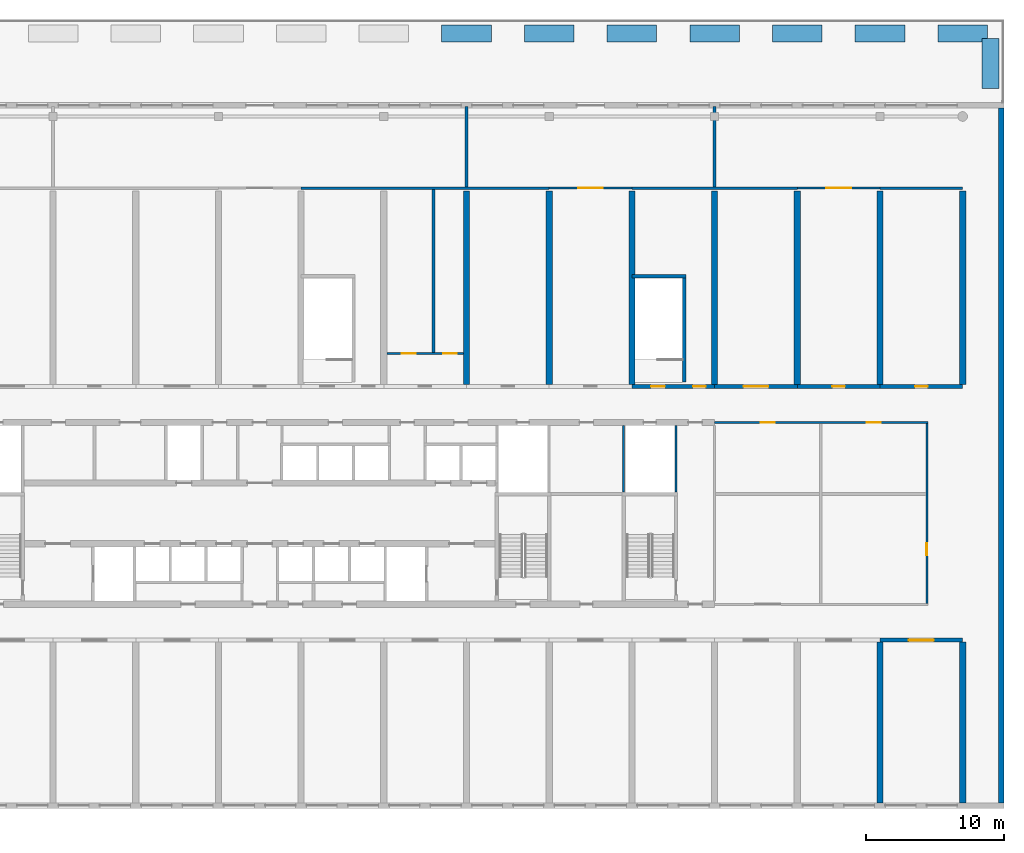
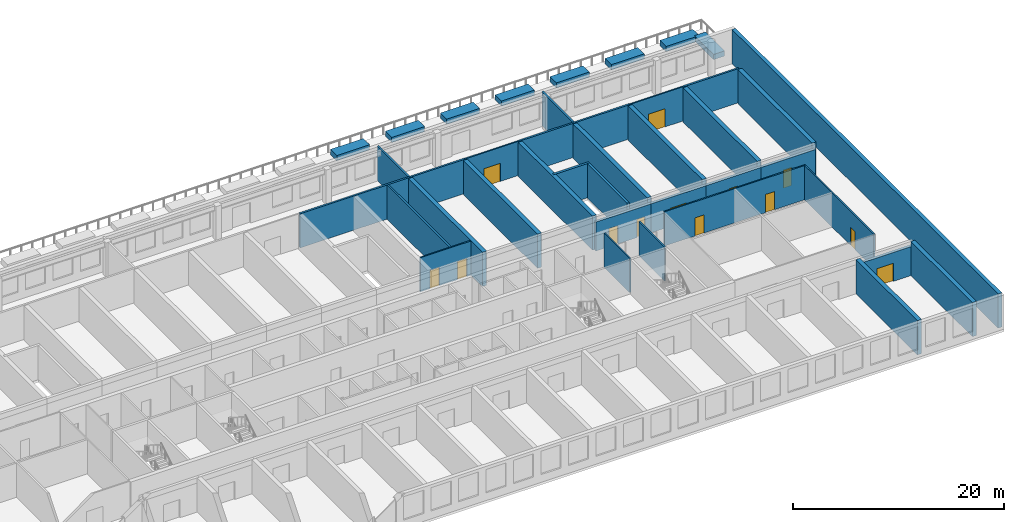
# One storey, part 11 of 15: 38 walls, 13 doors, 13 openings.
"""IFC4 building model written with IfcOpenShell, lengths in metres."""

from ifc_helpers import new_model, si_unit, direction, frame, frame_2d, origin, place, context, subcontext, project, spatial, polyline, rectangle, outline, extrude, source, transform, mapped, material, layer, layer_set, type_object, element, fill, save


model = new_model("IFC4")

# Units and contexts
model_context = context("Model", 3, precision=1e-05, world=origin(), true_north=direction((0.0, 1.0)))
body_context = subcontext(model_context, "Body", "Model", "MODEL_VIEW")
ifc_project = project(units=[si_unit("LENGTHUNIT", "METRE"), si_unit("AREAUNIT", "SQUARE_METRE"), si_unit("VOLUMEUNIT", "CUBIC_METRE"), si_unit("PLANEANGLEUNIT", "RADIAN"), si_unit("MASSUNIT", "GRAM", prefix="KILO")], contexts=[model_context])

# Site, building, storey
site_placement = place(None, origin())
site = spatial("IfcSite", under=ifc_project, at=site_placement, CompositionType="ELEMENT")
building_placement = place(site_placement, origin())
building = spatial("IfcBuilding", under=site, at=building_placement, Name="Poui Terraces", CompositionType="ELEMENT")
storey_placement = place(building_placement, frame((0.0, 0.0, 19.199951171875)))
storey = spatial("IfcBuildingStorey", under=building, at=storey_placement, Name="L04", CompositionType="ELEMENT", Elevation=19.199951171875)

# Walls
ifc_material_1 = material(Name="Fire-rated masonry wall", Category="masonry")
ifc_layer_1 = layer(ifc_material_1, 0.199951171875)
ifc_layer_set_1 = layer_set([ifc_layer_1], Name="Fire-rated masonry wall")
wall_type_1 = type_object("IfcWallType", Name="COMPARTMENT WALL 200", PredefinedType="PARTITIONING", material=ifc_layer_set_1)
wall_1_placement = place(storey_placement, frame((54.0, 44.800048828125, 0.0), z_axis=(0.0, 0.0, 1.0), x_axis=(1.0, 0.0, 0.0)))
element("IfcWall", 1, at=wall_1_placement, inside=storey, type_object=wall_type_1, Name="COMPARTMENT WALL 200", PredefinedType="PARTITIONING", context=body_context, shape_type="SweptSolid", body=[
    extrude(rectangle(XDim=18.0, YDim=0.199951171875, at=frame_2d((9.0, 0.0))), origin(), (0.0, 0.0, 1.0), 3.949951171875),
])
wall_2_placement = place(storey_placement, frame((78.0, 44.800048828125, 0.0), z_axis=(0.0, 0.0, 1.0), x_axis=(1.0, 0.0, 0.0)))
element("IfcWall", 2, at=wall_2_placement, inside=storey, type_object=wall_type_1, Name="COMPARTMENT WALL 200", PredefinedType="PARTITIONING", context=body_context, shape_type="SweptSolid", body=[
    extrude(rectangle(XDim=12.0, YDim=0.199951171875, at=frame_2d((6.0, 0.0))), origin(), (0.0, 0.0, 1.0), 3.949951171875),
])
wall_3_placement = place(storey_placement, frame((96.0, 44.800048828125, 0.0), z_axis=(0.0, 0.0, 1.0), x_axis=(1.0, 0.0, 0.0)))
element("IfcWall", 3, at=wall_3_placement, inside=storey, type_object=wall_type_1, Name="COMPARTMENT WALL 200", PredefinedType="PARTITIONING", context=body_context, shape_type="SweptSolid", body=[
    extrude(rectangle(XDim=6.0, YDim=0.199951171875, at=frame_2d((3.0, 0.0))), origin(), (0.0, 0.0, 1.0), 3.949951171875),
])
wall_4_placement = place(storey_placement, frame((63.60009765625, 32.875, 0.0), z_axis=(0.0, 0.0, 1.0), x_axis=(0.0, 1.0, 0.0)))
element("IfcWall", 4, at=wall_4_placement, inside=storey, type_object=wall_type_1, Name="COMPARTMENT WALL 200", PredefinedType="PARTITIONING", context=body_context, shape_type="SweptSolid", body=[
    extrude(rectangle(XDim=11.824951171875, YDim=0.199951171875, at=frame_2d((5.91259765625, 0.0))), origin(), (0.0, 0.0, 1.0), 3.949951171875),
])
for number, where, z_axis, x_axis, name in (
    (5, (66.0, 44.89990234375, 0.0), (0.0, 0.0, 1.0), (0.0, 1.0, 0.0), "COMPARTMENT WALL 200"),
    (6, (84.0, 44.89990234375, 0.0), (0.0, 0.0, 1.0), (0.0, 1.0, 0.0), "COMPARTMENT WALL 200"),
):
    element("IfcWall", number, at=place(storey_placement, frame(where, z_axis=z_axis, x_axis=x_axis)), inside=storey, type_object=wall_type_1, Name=name, PredefinedType="PARTITIONING", context=body_context, shape_type="SweptSolid", body=[
        extrude(rectangle(XDim=5.840087890625, YDim=0.199951171875, at=frame_2d((2.919921875, 0.0))), origin(), (0.0, 0.0, 1.0), 3.949951171875),
    ])

# Wall, openings, doors
ifc_material_2 = material(Name="Fire-rated plasterboard wall")
ifc_layer_2 = layer(ifc_material_2, 0.14990234375)
ifc_layer_set_2 = layer_set([ifc_layer_2], Name="Fire-rated plasterboard wall")
wall_type_2 = type_object("IfcWallType", Name="CORRIDOR WALL 150", PredefinedType="PARTITIONING", material=ifc_layer_set_2)
wall_5_placement = place(storey_placement, frame((84.010009765625, 27.800048828125, 0.0), z_axis=(0.0, 0.0, 1.0), x_axis=(1.0, 0.0, 0.0)))
wall_5 = element("IfcWall", 7, at=wall_5_placement, inside=storey, type_object=wall_type_2, Name="CORRIDOR WALL 150", PredefinedType="PARTITIONING", context=body_context, shape_type="SweptSolid", body=[
    extrude(rectangle(XDim=15.465087890625, YDim=0.14990234375, at=frame_2d((7.732421875, 0.0))), origin(), (0.0, 0.0, 1.0), 3.949951171875),
])
opening_1_placement = place(wall_5_placement, frame((3.340087890625, 0.0, 0.0)))
opening_1 = element("IfcOpeningElement", 8, at=opening_1_placement, cuts=wall_5, Name="Opening D100", PredefinedType="OPENING", context=body_context, shape_type="SweptSolid", body=[
    extrude(rectangle(XDim=1.0, YDim=2.10009765625, at=frame_2d((0.5, 1.050048828125))), frame((0.0, 0.0849609375, 0.0), z_axis=(0.0, -1.0, 0.0), x_axis=(1.0, 0.0, 0.0)), (0.0, 0.0, 1.0), 0.169921875),
])
opening_2_placement = place(wall_5_placement, frame((11.0400390625, 0.0, 0.0)))
opening_2 = element("IfcOpeningElement", 9, at=opening_2_placement, cuts=wall_5, Name="Opening D100", PredefinedType="OPENING", context=body_context, shape_type="SweptSolid", body=[
    extrude(rectangle(XDim=1.0, YDim=2.10009765625, at=frame_2d((0.5, 1.050048828125))), frame((0.0, 0.0849609375, 0.0), z_axis=(0.0, -1.0, 0.0), x_axis=(1.0, 0.0, 0.0)), (0.0, 0.0, 1.0), 0.169921875),
])
ifc_material_3 = material(Name="Solid core timber door", Category="wood")
door_type_1 = type_object("IfcDoorType", Name="ACCESSIBLE INTERNAL DOOR 1000 X 2100", OperationType="NOTDEFINED", PredefinedType="DOOR", material=ifc_material_3)
door_1_placement = place(opening_1_placement, origin())
door_1 = element("IfcDoor", 10, at=door_1_placement, inside=storey, type_object=door_type_1, Name="ACCESSIBLE INTERNAL DOOR 037", OperationType="SINGLE_SWING_LEFT", OverallHeight=2.10009765625, OverallWidth=1.0, PredefinedType="DOOR", context=body_context, shape_type="SweptSolid", body=[
    extrude(rectangle(XDim=1.0, YDim=2.10009765625, at=frame_2d((0.5, 1.050048828125))), frame((0.0, 0.02490234375, 0.0), z_axis=(0.0, -1.0, 0.0), x_axis=(1.0, 0.0, 0.0)), (0.0, 0.0, 1.0), 0.050048828125),
])
fill(opening_1, door_1)
door_2_placement = place(opening_2_placement, origin())
door_2 = element("IfcDoor", 11, at=door_2_placement, inside=storey, type_object=door_type_1, Name="ACCESSIBLE INTERNAL DOOR 039", OperationType="SINGLE_SWING_RIGHT", OverallHeight=2.10009765625, OverallWidth=1.0, PredefinedType="DOOR", context=body_context, shape_type="SweptSolid", body=[
    extrude(rectangle(XDim=1.0, YDim=2.10009765625, at=frame_2d((0.5, 1.050048828125))), frame((0.0, 0.02490234375, 0.0), z_axis=(0.0, -1.0, 0.0), x_axis=(1.0, 0.0, 0.0)), (0.0, 0.0, 1.0), 0.050048828125),
])
fill(opening_2, door_2)

wall_6_placement = place(storey_placement, frame((60.235107421875, 32.800048828125, 0.0), z_axis=(0.0, 0.0, 1.0), x_axis=(1.0, 0.0, 0.0)))
wall_6 = element("IfcWall", 12, at=wall_6_placement, inside=storey, type_object=wall_type_2, Name="CORRIDOR WALL 150", PredefinedType="PARTITIONING", context=body_context, shape_type="SweptSolid", body=[
    extrude(rectangle(XDim=5.52978515625, YDim=0.14990234375, at=frame_2d((2.764892578125, 0.0))), origin(), (0.0, 0.0, 1.0), 3.949951171875),
])
opening_3_placement = place(wall_6_placement, frame((1.06494140625, 0.0, 0.0)))
opening_3 = element("IfcOpeningElement", 13, at=opening_3_placement, cuts=wall_6, Name="Opening D100", PredefinedType="OPENING", context=body_context, shape_type="SweptSolid", body=[
    extrude(rectangle(XDim=1.0, YDim=2.10009765625, at=frame_2d((0.5, 1.050048828125))), frame((0.0, 0.0849609375, 0.0), z_axis=(0.0, -1.0, 0.0), x_axis=(1.0, 0.0, 0.0)), (0.0, 0.0, 1.0), 0.169921875),
])
opening_4_placement = place(wall_6_placement, frame((4.06494140625, 0.0, 0.0)))
opening_4 = element("IfcOpeningElement", 14, at=opening_4_placement, cuts=wall_6, Name="Opening D100", PredefinedType="OPENING", context=body_context, shape_type="SweptSolid", body=[
    extrude(rectangle(XDim=1.0, YDim=2.10009765625, at=frame_2d((0.5, 1.050048828125))), frame((0.0, 0.0849609375, 0.0), z_axis=(0.0, -1.0, 0.0), x_axis=(1.0, 0.0, 0.0)), (0.0, 0.0, 1.0), 0.169921875),
])
door_3_placement = place(opening_3_placement, frame((1.0, 0.0, 0.0), z_axis=(0.0, 0.0, 1.0), x_axis=(-1.0, 0.0, 0.0)))
door_3 = element("IfcDoor", 15, at=door_3_placement, inside=storey, type_object=door_type_1, Name="ACCESSIBLE INTERNAL DOOR 073", OperationType="SINGLE_SWING_RIGHT", OverallHeight=2.10009765625, OverallWidth=1.0, PredefinedType="DOOR", context=body_context, shape_type="SweptSolid", body=[
    extrude(rectangle(XDim=1.0, YDim=2.10009765625, at=frame_2d((0.5, 1.050048828125))), frame((0.0, 0.02490234375, 0.0), z_axis=(0.0, -1.0, 0.0), x_axis=(1.0, 0.0, 0.0)), (0.0, 0.0, 1.0), 0.050048828125),
])
fill(opening_3, door_3)
door_4_placement = place(opening_4_placement, frame((1.0, 0.0, 0.0), z_axis=(0.0, 0.0, 1.0), x_axis=(-1.0, 0.0, 0.0)))
door_4 = element("IfcDoor", 16, at=door_4_placement, inside=storey, type_object=door_type_1, Name="ACCESSIBLE INTERNAL DOOR 074", OperationType="SINGLE_SWING_LEFT", OverallHeight=2.10009765625, OverallWidth=1.0, PredefinedType="DOOR", context=body_context, shape_type="SweptSolid", body=[
    extrude(rectangle(XDim=1.0, YDim=2.10009765625, at=frame_2d((0.5, 1.050048828125))), frame((0.0, 0.02490234375, 0.0), z_axis=(0.0, -1.0, 0.0), x_axis=(1.0, 0.0, 0.0)), (0.0, 0.0, 1.0), 0.050048828125),
])
fill(opening_4, door_4)

# Wall, opening, door
wall_7_placement = place(storey_placement, frame((72.0, 44.800048828125, 0.0), z_axis=(0.0, 0.0, 1.0), x_axis=(1.0, 0.0, 0.0)))
wall_7 = element("IfcWall", 17, at=wall_7_placement, inside=storey, type_object=wall_type_2, Name="CORRIDOR WALL 150", PredefinedType="PARTITIONING", context=body_context, shape_type="SweptSolid", body=[
    extrude(rectangle(XDim=6.0, YDim=0.14990234375, at=frame_2d((3.0, 0.0))), origin(), (0.0, 0.0, 1.0), 3.949951171875),
])
opening_5_placement = place(wall_7_placement, frame((2.10009765625, 0.0, 0.0)))
opening_5 = element("IfcOpeningElement", 18, at=opening_5_placement, cuts=wall_7, Name="Opening DD180", PredefinedType="OPENING", context=body_context, shape_type="SweptSolid", body=[
    extrude(rectangle(XDim=1.800048828125, YDim=2.10009765625, at=frame_2d((0.89990234375, 1.050048828125))), frame((0.0, 0.0849609375, 0.0), z_axis=(0.0, -1.0, 0.0), x_axis=(1.0, 0.0, 0.0)), (0.0, 0.0, 1.0), 0.169921875),
])
ifc_material_4 = material(Name="Steel fire door", Category="steel")
door_type_2 = type_object("IfcDoorType", Name="DOUBLE INTERNAL DOOR 1800 X 2100", OperationType="DOUBLE_DOOR_SINGLE_SWING", PredefinedType="DOOR", material=ifc_material_4)
door_5_placement = place(opening_5_placement, frame((1.800048828125, 0.0, 0.0), z_axis=(0.0, 0.0, 1.0), x_axis=(-1.0, 0.0, 0.0)))
door_5 = element("IfcDoor", 19, at=door_5_placement, inside=storey, type_object=door_type_2, Name="DOUBLE INTERNAL DOOR 077", OperationType="DOUBLE_DOOR_SINGLE_SWING", OverallHeight=2.10009765625, OverallWidth=1.800048828125, PredefinedType="DOOR", context=body_context, shape_type="SweptSolid", body=[
    extrude(rectangle(XDim=1.800048828125, YDim=2.10009765625, at=frame_2d((0.89990234375, 1.050048828125))), frame((0.0, 0.02490234375, 0.0), z_axis=(0.0, -1.0, 0.0), x_axis=(1.0, 0.0, 0.0)), (0.0, 0.0, 1.0), 0.050048828125),
])
fill(opening_5, door_5)

wall_8_placement = place(storey_placement, frame((90.0, 44.800048828125, 0.0), z_axis=(0.0, 0.0, 1.0), x_axis=(1.0, 0.0, 0.0)))
wall_8 = element("IfcWall", 20, at=wall_8_placement, inside=storey, type_object=wall_type_2, Name="CORRIDOR WALL 150", PredefinedType="PARTITIONING", context=body_context, shape_type="SweptSolid", body=[
    extrude(rectangle(XDim=6.0, YDim=0.14990234375, at=frame_2d((3.0, 0.0))), origin(), (0.0, 0.0, 1.0), 3.949951171875),
])
opening_6_placement = place(wall_8_placement, frame((2.10009765625, 0.0, 0.0)))
opening_6 = element("IfcOpeningElement", 21, at=opening_6_placement, cuts=wall_8, Name="Opening DD180", PredefinedType="OPENING", context=body_context, shape_type="SweptSolid", body=[
    extrude(rectangle(XDim=1.800048828125, YDim=2.10009765625, at=frame_2d((0.89990234375, 1.050048828125))), frame((0.0, 0.0849609375, 0.0), z_axis=(0.0, -1.0, 0.0), x_axis=(1.0, 0.0, 0.0)), (0.0, 0.0, 1.0), 0.169921875),
])
door_6_placement = place(opening_6_placement, frame((1.800048828125, 0.0, 0.0), z_axis=(0.0, 0.0, 1.0), x_axis=(-1.0, 0.0, 0.0)))
door_6 = element("IfcDoor", 22, at=door_6_placement, inside=storey, type_object=door_type_2, Name="DOUBLE INTERNAL DOOR 078", OperationType="DOUBLE_DOOR_SINGLE_SWING", OverallHeight=2.10009765625, OverallWidth=1.800048828125, PredefinedType="DOOR", context=body_context, shape_type="SweptSolid", body=[
    extrude(rectangle(XDim=1.800048828125, YDim=2.10009765625, at=frame_2d((0.89990234375, 1.050048828125))), frame((0.0, 0.02490234375, 0.0), z_axis=(0.0, -1.0, 0.0), x_axis=(1.0, 0.0, 0.0)), (0.0, 0.0, 1.0), 0.050048828125),
])
fill(opening_6, door_6)

wall_9_placement = place(storey_placement, frame((99.39990234375, 14.675048828125, 0.0), z_axis=(0.0, 0.0, 1.0), x_axis=(0.0, 1.0, 0.0)))
wall_9 = element("IfcWall", 23, at=wall_9_placement, inside=storey, type_object=wall_type_2, Name="CORRIDOR WALL 150", PredefinedType="PARTITIONING", context=body_context, shape_type="SweptSolid", body=[
    extrude(rectangle(XDim=13.050048828125, YDim=0.14990234375, at=frame_2d((6.52490234375, 0.0))), origin(), (0.0, 0.0, 1.0), 3.949951171875),
])
opening_7_placement = place(wall_9_placement, frame((3.47509765625, 0.0, 0.0)))
opening_7 = element("IfcOpeningElement", 24, at=opening_7_placement, cuts=wall_9, Name="Opening D90", PredefinedType="OPENING", context=body_context, shape_type="SweptSolid", body=[
    extrude(rectangle(XDim=0.89990234375, YDim=2.10009765625, at=frame_2d((0.449951171875, 1.050048828125))), frame((0.0, 0.0849609375, 0.0), z_axis=(0.0, -1.0, 0.0), x_axis=(1.0, 0.0, 0.0)), (0.0, 0.0, 1.0), 0.169921875),
])
door_type_3 = type_object("IfcDoorType", Name="INTERNAL DOOR 900 X 2100", OperationType="NOTDEFINED", PredefinedType="DOOR", material=ifc_material_3)
door_7_placement = place(opening_7_placement, frame((0.89990234375, 0.0, 0.0), z_axis=(0.0, 0.0, 1.0), x_axis=(-1.0, 0.0, 0.0)))
door_7 = element("IfcDoor", 25, at=door_7_placement, inside=storey, type_object=door_type_3, Name="INTERNAL DOOR 001", OperationType="SINGLE_SWING_RIGHT", OverallHeight=2.10009765625, OverallWidth=0.89990234375, PredefinedType="DOOR", context=body_context, shape_type="SweptSolid", body=[
    extrude(rectangle(XDim=0.89990234375, YDim=2.10009765625, at=frame_2d((0.449951171875, 1.050048828125))), frame((0.0, 0.02490234375, 0.0), z_axis=(0.0, -1.0, 0.0), x_axis=(1.0, 0.0, 0.0)), (0.0, 0.0, 1.0), 0.050048828125),
])
fill(opening_7, door_7)

ifc_material_5 = material(Name="Concrete 80 MPa", Category="concrete")
ifc_layer_3 = layer(ifc_material_5, 0.300048828125)
ifc_layer_set_3 = layer_set([ifc_layer_3], Name="Concrete 80 MPa")
wall_type_3 = type_object("IfcWallType", Name="CORRIDOR WALL 300 80MPa", PredefinedType="SHEAR", material=ifc_layer_set_3)
wall_10_placement = place(storey_placement, frame((96.0, 12.0, 0.0), z_axis=(0.0, 0.0, 1.0), x_axis=(1.0, 0.0, 0.0)))
wall_10 = element("IfcWall", 26, at=wall_10_placement, inside=storey, type_object=wall_type_3, Name="CORRIDOR WALL LINE B BAY 17", PredefinedType="SHEAR", context=body_context, shape_type="SweptSolid", body=[
    extrude(rectangle(XDim=6.0, YDim=0.300048828125, at=frame_2d((3.0, 0.0))), origin(), (0.0, 0.0, 1.0), 3.35009765625),
])
opening_8_placement = place(wall_10_placement, frame((2.10009765625, 0.0, 0.0)))
opening_8 = element("IfcOpeningElement", 27, at=opening_8_placement, cuts=wall_10, Name="Opening DD180", PredefinedType="OPENING", context=body_context, shape_type="SweptSolid", body=[
    extrude(rectangle(XDim=1.800048828125, YDim=2.10009765625, at=frame_2d((0.89990234375, 1.050048828125))), frame((0.0, 0.16015625, 0.0), z_axis=(0.0, -1.0, 0.0), x_axis=(1.0, 0.0, 0.0)), (0.0, 0.0, 1.0), 0.320068359375),
])
door_8_placement = place(opening_8_placement, origin())
door_8 = element("IfcDoor", 28, at=door_8_placement, inside=storey, type_object=door_type_2, Name="DOUBLE INTERNAL DOOR 069", OperationType="DOUBLE_DOOR_SINGLE_SWING", OverallHeight=2.10009765625, OverallWidth=1.800048828125, PredefinedType="DOOR", context=body_context, shape_type="SweptSolid", body=[
    extrude(rectangle(XDim=1.800048828125, YDim=2.10009765625, at=frame_2d((0.89990234375, 1.050048828125))), frame((0.0, 0.02490234375, 0.0), z_axis=(0.0, -1.0, 0.0), x_axis=(1.0, 0.0, 0.0)), (0.0, 0.0, 1.0), 0.050048828125),
])
fill(opening_8, door_8)

# Wall, openings, doors
wall_11_placement = place(storey_placement, frame((78.0, 30.39990234375, 0.0), z_axis=(0.0, 0.0, 1.0), x_axis=(1.0, 0.0, 0.0)))
wall_11 = element("IfcWall", 29, at=wall_11_placement, inside=storey, type_object=wall_type_3, Name="CORRIDOR WALL LINE E BAY 14", PredefinedType="SHEAR", context=body_context, shape_type="SweptSolid", body=[
    extrude(rectangle(XDim=6.0, YDim=0.300048828125, at=frame_2d((3.0, 0.0))), origin(), (0.0, 0.0, 1.0), 3.35009765625),
])
opening_9_placement = place(wall_11_placement, frame((1.39990234375, 0.0, 0.0)))
opening_9 = element("IfcOpeningElement", 30, at=opening_9_placement, cuts=wall_11, Name="Opening FD60S", PredefinedType="OPENING", context=body_context, shape_type="SweptSolid", body=[
    extrude(rectangle(XDim=1.0, YDim=2.10009765625, at=frame_2d((0.5, 1.050048828125))), frame((0.0, 0.16015625, 0.0), z_axis=(0.0, -1.0, 0.0), x_axis=(1.0, 0.0, 0.0)), (0.0, 0.0, 1.0), 0.320068359375),
])
opening_10_placement = place(wall_11_placement, frame((4.449951171875, 0.0, 0.0)))
opening_10 = element("IfcOpeningElement", 31, at=opening_10_placement, cuts=wall_11, Name="Opening D90", PredefinedType="OPENING", context=body_context, shape_type="SweptSolid", body=[
    extrude(rectangle(XDim=0.89990234375, YDim=2.10009765625, at=frame_2d((0.449951171875, 1.050048828125))), frame((0.0, 0.16015625, 0.0), z_axis=(0.0, -1.0, 0.0), x_axis=(1.0, 0.0, 0.0)), (0.0, 0.0, 1.0), 0.320068359375),
])
door_9_placement = place(opening_10_placement, frame((0.89990234375, 0.0, 0.0), z_axis=(0.0, 0.0, 1.0), x_axis=(-1.0, 0.0, 0.0)))
door_9 = element("IfcDoor", 32, at=door_9_placement, inside=storey, type_object=door_type_3, Name="INTERNAL DOOR 035", OperationType="SINGLE_SWING_RIGHT", OverallHeight=2.10009765625, OverallWidth=0.89990234375, PredefinedType="DOOR", context=body_context, shape_type="SweptSolid", body=[
    extrude(rectangle(XDim=0.89990234375, YDim=2.10009765625, at=frame_2d((0.449951171875, 1.050048828125))), frame((0.0, 0.02490234375, 0.0), z_axis=(0.0, -1.0, 0.0), x_axis=(1.0, 0.0, 0.0)), (0.0, 0.0, 1.0), 0.050048828125),
])
fill(opening_10, door_9)
door_type_4 = type_object("IfcDoorType", Name="STAIR DOOR 1000 X 2100", OperationType="NOTDEFINED", PredefinedType="DOOR", material=ifc_material_4)
door_10_placement = place(opening_9_placement, origin())
door_10 = element("IfcDoor", 33, at=door_10_placement, inside=storey, type_object=door_type_4, Name="STAIR DOOR 033", OperationType="SINGLE_SWING_RIGHT", OverallHeight=2.10009765625, OverallWidth=1.0, PredefinedType="DOOR", context=body_context, shape_type="SweptSolid", body=[
    extrude(rectangle(XDim=1.0, YDim=2.10009765625, at=frame_2d((0.5, 1.050048828125))), frame((0.0, 0.02490234375, 0.0), z_axis=(0.0, -1.0, 0.0), x_axis=(1.0, 0.0, 0.0)), (0.0, 0.0, 1.0), 0.050048828125),
])
fill(opening_9, door_10)

# Wall, opening, door
wall_12_placement = place(storey_placement, frame((84.0, 30.39990234375, 0.0), z_axis=(0.0, 0.0, 1.0), x_axis=(1.0, 0.0, 0.0)))
wall_12 = element("IfcWall", 34, at=wall_12_placement, inside=storey, type_object=wall_type_3, Name="CORRIDOR WALL LINE E BAY 15", PredefinedType="SHEAR", context=body_context, shape_type="SweptSolid", body=[
    extrude(rectangle(XDim=6.0, YDim=0.300048828125, at=frame_2d((3.0, 0.0))), origin(), (0.0, 0.0, 1.0), 3.35009765625),
])
opening_11_placement = place(wall_12_placement, frame((2.10009765625, 0.0, 0.0)))
opening_11 = element("IfcOpeningElement", 35, at=opening_11_placement, cuts=wall_12, Name="Opening DD180", PredefinedType="OPENING", context=body_context, shape_type="SweptSolid", body=[
    extrude(rectangle(XDim=1.800048828125, YDim=2.10009765625, at=frame_2d((0.89990234375, 1.050048828125))), frame((0.0, 0.16015625, 0.0), z_axis=(0.0, -1.0, 0.0), x_axis=(1.0, 0.0, 0.0)), (0.0, 0.0, 1.0), 0.320068359375),
])
door_11_placement = place(opening_11_placement, frame((1.800048828125, 0.0, 0.0), z_axis=(0.0, 0.0, 1.0), x_axis=(-1.0, 0.0, 0.0)))
door_11 = element("IfcDoor", 36, at=door_11_placement, inside=storey, type_object=door_type_2, Name="DOUBLE INTERNAL DOOR 036", OperationType="DOUBLE_DOOR_SINGLE_SWING", OverallHeight=2.10009765625, OverallWidth=1.800048828125, PredefinedType="DOOR", context=body_context, shape_type="SweptSolid", body=[
    extrude(rectangle(XDim=1.800048828125, YDim=2.10009765625, at=frame_2d((0.89990234375, 1.050048828125))), frame((0.0, 0.02490234375, 0.0), z_axis=(0.0, -1.0, 0.0), x_axis=(1.0, 0.0, 0.0)), (0.0, 0.0, 1.0), 0.050048828125),
])
fill(opening_11, door_11)

wall_13_placement = place(storey_placement, frame((90.0, 30.39990234375, 0.0), z_axis=(0.0, 0.0, 1.0), x_axis=(1.0, 0.0, 0.0)))
wall_13 = element("IfcWall", 37, at=wall_13_placement, inside=storey, type_object=wall_type_3, Name="CORRIDOR WALL LINE E BAY 16", PredefinedType="SHEAR", context=body_context, shape_type="SweptSolid", body=[
    extrude(rectangle(XDim=6.0, YDim=0.300048828125, at=frame_2d((3.0, 0.0))), origin(), (0.0, 0.0, 1.0), 3.35009765625),
])
opening_12_placement = place(wall_13_placement, frame((2.550048828125, 0.0, 0.0)))
opening_12 = element("IfcOpeningElement", 38, at=opening_12_placement, cuts=wall_13, Name="Opening D90", PredefinedType="OPENING", context=body_context, shape_type="SweptSolid", body=[
    extrude(rectangle(XDim=0.89990234375, YDim=2.10009765625, at=frame_2d((0.449951171875, 1.050048828125))), frame((0.0, 0.16015625, 0.0), z_axis=(0.0, -1.0, 0.0), x_axis=(1.0, 0.0, 0.0)), (0.0, 0.0, 1.0), 0.320068359375),
])
door_12_placement = place(opening_12_placement, frame((0.89990234375, 0.0, 0.0), z_axis=(0.0, 0.0, 1.0), x_axis=(-1.0, 0.0, 0.0)))
door_12 = element("IfcDoor", 39, at=door_12_placement, inside=storey, type_object=door_type_3, Name="INTERNAL DOOR 038", OperationType="SINGLE_SWING_RIGHT", OverallHeight=2.10009765625, OverallWidth=0.89990234375, PredefinedType="DOOR", context=body_context, shape_type="SweptSolid", body=[
    extrude(rectangle(XDim=0.89990234375, YDim=2.10009765625, at=frame_2d((0.449951171875, 1.050048828125))), frame((0.0, 0.02490234375, 0.0), z_axis=(0.0, -1.0, 0.0), x_axis=(1.0, 0.0, 0.0)), (0.0, 0.0, 1.0), 0.050048828125),
])
fill(opening_12, door_12)

wall_14_placement = place(storey_placement, frame((96.0, 30.39990234375, 0.0), z_axis=(0.0, 0.0, 1.0), x_axis=(1.0, 0.0, 0.0)))
wall_14 = element("IfcWall", 40, at=wall_14_placement, inside=storey, type_object=wall_type_3, Name="CORRIDOR WALL LINE E BAY 17", PredefinedType="SHEAR", context=body_context, shape_type="SweptSolid", body=[
    extrude(rectangle(XDim=6.0, YDim=0.300048828125, at=frame_2d((3.0, 0.0))), origin(), (0.0, 0.0, 1.0), 3.35009765625),
])
opening_13_placement = place(wall_14_placement, frame((2.550048828125, 0.0, 0.0)))
opening_13 = element("IfcOpeningElement", 41, at=opening_13_placement, cuts=wall_14, Name="Opening D90", PredefinedType="OPENING", context=body_context, shape_type="SweptSolid", body=[
    extrude(rectangle(XDim=0.89990234375, YDim=2.10009765625, at=frame_2d((0.449951171875, 1.050048828125))), frame((0.0, 0.16015625, 0.0), z_axis=(0.0, -1.0, 0.0), x_axis=(1.0, 0.0, 0.0)), (0.0, 0.0, 1.0), 0.320068359375),
])
door_13_placement = place(opening_13_placement, frame((0.89990234375, 0.0, 0.0), z_axis=(0.0, 0.0, 1.0), x_axis=(-1.0, 0.0, 0.0)))
door_13 = element("IfcDoor", 42, at=door_13_placement, inside=storey, type_object=door_type_3, Name="INTERNAL DOOR 040", OperationType="SINGLE_SWING_LEFT", OverallHeight=2.10009765625, OverallWidth=0.89990234375, PredefinedType="DOOR", context=body_context, shape_type="SweptSolid", body=[
    extrude(rectangle(XDim=0.89990234375, YDim=2.10009765625, at=frame_2d((0.449951171875, 1.050048828125))), frame((0.0, 0.02490234375, 0.0), z_axis=(0.0, -1.0, 0.0), x_axis=(1.0, 0.0, 0.0)), (0.0, 0.0, 1.0), 0.050048828125),
])
fill(opening_13, door_13)

# Walls
ifc_layer_4 = layer(ifc_material_5, 0.449951171875)
ifc_layer_set_4 = layer_set([ifc_layer_4], Name="Concrete 80 MPa")
wall_type_4 = type_object("IfcWallType", Name="CROSS WALL 450 80MPa", PredefinedType="SHEAR", material=ifc_layer_set_4)
for number, where, z_axis, x_axis, name in (
    (43, (66.0, 30.550048828125, 0.0), (0.0, 0.0, 1.0), (0.0, 1.0, 0.0), "CROSS WALL LINE 12 NORTH"),
    (44, (72.0, 30.550048828125, 0.0), (0.0, 0.0, 1.0), (0.0, 1.0, 0.0), "CROSS WALL LINE 13 NORTH"),
    (45, (78.0, 30.550048828125, 0.0), (0.0, 0.0, 1.0), (0.0, 1.0, 0.0), "CROSS WALL LINE 14 NORTH"),
    (46, (84.0, 30.550048828125, 0.0), (0.0, 0.0, 1.0), (0.0, 1.0, 0.0), "CROSS WALL LINE 15 NORTH"),
    (47, (90.0, 30.550048828125, 0.0), (0.0, 0.0, 1.0), (0.0, 1.0, 0.0), "CROSS WALL LINE 16 NORTH"),
):
    element("IfcWall", number, at=place(storey_placement, frame(where, z_axis=z_axis, x_axis=x_axis)), inside=storey, type_object=wall_type_4, Name=name, PredefinedType="SHEAR", context=body_context, shape_type="SweptSolid", body=[
        extrude(rectangle(XDim=14.050048828125, YDim=0.449951171875, at=frame_2d((7.02490234375, 0.0))), origin(), (0.0, 0.0, 1.0), 3.949951171875),
    ])
wall_15_placement = place(storey_placement, frame((96.0, 0.199951171875, 0.0), z_axis=(0.0, 0.0, 1.0), x_axis=(0.0, 1.0, 0.0)))
element("IfcWall", 48, at=wall_15_placement, inside=storey, type_object=wall_type_4, Name="CROSS WALL LINE 17 SOUTH", PredefinedType="SHEAR", context=body_context, shape_type="SweptSolid", body=[
    extrude(rectangle(XDim=11.650146484375, YDim=0.449951171875, at=frame_2d((5.8251953125, 0.0))), origin(), (0.0, 0.0, 1.0), 3.949951171875),
])
wall_16_placement = place(storey_placement, frame((96.0, 30.550048828125, 0.0), z_axis=(0.0, 0.0, 1.0), x_axis=(0.0, 1.0, 0.0)))
element("IfcWall", 49, at=wall_16_placement, inside=storey, type_object=wall_type_4, Name="CROSS WALL LINE 17 NORTH", PredefinedType="SHEAR", context=body_context, shape_type="SweptSolid", body=[
    extrude(rectangle(XDim=14.050048828125, YDim=0.449951171875, at=frame_2d((7.02490234375, 0.0))), origin(), (0.0, 0.0, 1.0), 3.949951171875),
])
wall_17_placement = place(storey_placement, frame((102.0, 0.199951171875, 0.0), z_axis=(0.0, 0.0, 1.0), x_axis=(0.0, 1.0, 0.0)))
element("IfcWall", 50, at=wall_17_placement, inside=storey, type_object=wall_type_4, Name="CROSS WALL LINE 18 SOUTH", PredefinedType="SHEAR", context=body_context, shape_type="SweptSolid", body=[
    extrude(rectangle(XDim=11.650146484375, YDim=0.449951171875, at=frame_2d((5.8251953125, 0.0))), origin(), (0.0, 0.0, 1.0), 3.949951171875),
])
wall_18_placement = place(storey_placement, frame((102.0, 30.550048828125, 0.0), z_axis=(0.0, 0.0, 1.0), x_axis=(0.0, 1.0, 0.0)))
element("IfcWall", 51, at=wall_18_placement, inside=storey, type_object=wall_type_4, Name="CROSS WALL LINE 18 NORTH", PredefinedType="SHEAR", context=body_context, shape_type="SweptSolid", body=[
    extrude(rectangle(XDim=14.050048828125, YDim=0.449951171875, at=frame_2d((7.02490234375, 0.0))), origin(), (0.0, 0.0, 1.0), 3.949951171875),
])
ifc_material_6 = material(Name="Precast concrete 40 MPa", Category="concrete")
ifc_layer_5 = layer(ifc_material_6, 0.39990234375)
ifc_layer_set_5 = layer_set([ifc_layer_5], Name="Precast concrete 40 MPa")
wall_type_5 = type_object("IfcWallType", Name="EXTERNAL WALL 400", PredefinedType="STANDARD", material=ifc_layer_set_5)
wall_19_placement = place(storey_placement, frame((104.800048828125, 0.199951171875, 0.0), z_axis=(0.0, 0.0, 1.0), x_axis=(0.0, 1.0, 0.0)))
element("IfcWall", 52, at=wall_19_placement, inside=storey, type_object=wall_type_5, Name="EXTERNAL WALL E", PredefinedType="STANDARD", context=body_context, shape_type="SweptSolid", body=[
    extrude(rectangle(XDim=50.400146484375, YDim=0.39990234375, at=frame_2d((25.2001953125, 0.0))), origin(), (0.0, 0.0, 1.0), 3.949951171875),
])
ifc_material_7 = material(Name="Fire-rated plasterboard riser wall")
ifc_layer_6 = layer(ifc_material_7, 0.14990234375)
ifc_layer_set_6 = layer_set([ifc_layer_6], Name="Fire-rated plasterboard riser wall")
wall_type_6 = type_object("IfcWallType", Name="RISER WALL 150", PredefinedType="PARTITIONING", material=ifc_layer_set_6)
for number, where, z_axis, x_axis, name in (
    (53, (77.39990234375, 22.735107421875, 0.0), (0.0, 0.0, 1.0), (0.0, 1.0, 0.0), "RISER WALL 150"),
    (54, (81.199951171875, 22.735107421875, 0.0), (0.0, 0.0, 1.0), (0.0, 1.0, 0.0), "RISER WALL 150"),
):
    element("IfcWall", number, at=place(storey_placement, frame(where, z_axis=z_axis, x_axis=x_axis)), inside=storey, type_object=wall_type_6, Name=name, PredefinedType="PARTITIONING", context=body_context, shape_type="SweptSolid", body=[
        extrude(rectangle(XDim=4.829833984375, YDim=0.14990234375, at=frame_2d((2.4150390625, 0.0))), origin(), (0.0, 0.0, 1.0), 3.949951171875),
    ])
ifc_layer_7 = layer(ifc_material_5, 0.25)
ifc_layer_set_7 = layer_set([ifc_layer_7], Name="Concrete 80 MPa")
wall_type_7 = type_object("IfcWallType", Name="STAIR CORE WALL 250 80 MPA", PredefinedType="SOLIDWALL", material=ifc_layer_set_7)
wall_20_placement = place(storey_placement, frame((81.800048828125, 30.75, 0.0), z_axis=(0.0, 0.0, 1.0), x_axis=(0.0, 1.0, 0.0)))
element("IfcWall", 55, at=wall_20_placement, inside=storey, type_object=wall_type_7, Name="STAIR CORE WALL", PredefinedType="SOLIDWALL", context=body_context, shape_type="SweptSolid", body=[
    extrude(rectangle(XDim=7.52490234375, YDim=0.25, at=frame_2d((3.762451171875, 0.0))), origin(), (0.0, 0.0, 1.0), 3.949951171875),
])
wall_21_placement = place(storey_placement, frame((78.0, 38.39990234375, 0.0), z_axis=(0.0, 0.0, 1.0), x_axis=(1.0, 0.0, 0.0)))
element("IfcWall", 56, at=wall_21_placement, inside=storey, type_object=wall_type_7, Name="STAIR CORE WALL", PredefinedType="SOLIDWALL", context=body_context, shape_type="SweptSolid", body=[
    extrude(rectangle(XDim=3.925048828125, YDim=0.25, at=frame_2d((1.96240234375, 0.0))), origin(), (0.0, 0.0, 1.0), 3.949951171875),
])
ifc_layer_8 = layer(ifc_material_6, 1.199951171875)
ifc_layer_set_8 = layer_set([ifc_layer_8], Name="Precast concrete 40 MPa")
wall_type_8 = type_object("IfcWallType", Name="PLANTER 600", PredefinedType="USERDEFINED", material=ifc_layer_set_8)
shared_shape_1 = source(origin(), body_context, "Body", "SweptSolid", [
    extrude(outline(polyline([(0.0, 0.0), (3.60009765625, 0.0), (3.60009765625, 1.2001953125), (0.0, 1.2001953125), (0.0, 0.0)])), origin(), (0.0, 0.0, 1.0), 0.60009765625),
])
for number, where, name in (
    (57, (64.199951171875, 55.419921875, 0.0), "PLANTER"),
    (58, (70.199951171875, 55.419921875, 0.0), "PLANTER"),
    (59, (76.199951171875, 55.419921875, 0.0), "PLANTER"),
    (60, (82.199951171875, 55.419921875, 0.0), "PLANTER"),
    (61, (88.199951171875, 55.419921875, 0.0), "PLANTER"),
    (62, (94.199951171875, 55.419921875, 0.0), "PLANTER"),
    (63, (100.199951171875, 55.419921875, 0.0), "PLANTER"),
):
    element("IfcWall", number, at=place(storey_placement, frame(where)), inside=storey, type_object=wall_type_8, Name=name, ObjectType="PLANTER", PredefinedType="USERDEFINED", context=body_context, shape_type="MappedRepresentation", body=[
        mapped(shared_shape_1, transform((0.0, 0.0, 0.0))),
    ])
shared_shape_2 = source(origin(), body_context, "Body", "SweptSolid", [
    extrude(outline(polyline([(0.0, 0.0), (1.2001953125, 0.0), (1.2001953125, 3.599853515625), (0.0, 3.599853515625), (0.0, 0.0)])), origin(), (0.0, 0.0, 1.0), 0.60009765625),
])
wall_22_placement = place(storey_placement, frame((103.419921875, 52.0400390625, 0.0)))
element("IfcWall", 64, at=wall_22_placement, inside=storey, type_object=wall_type_8, Name="PLANTER", ObjectType="PLANTER", PredefinedType="USERDEFINED", context=body_context, shape_type="MappedRepresentation", body=[
    mapped(shared_shape_2, transform((0.0, 0.0, 0.0))),
])

save(model, "model.ifc")
